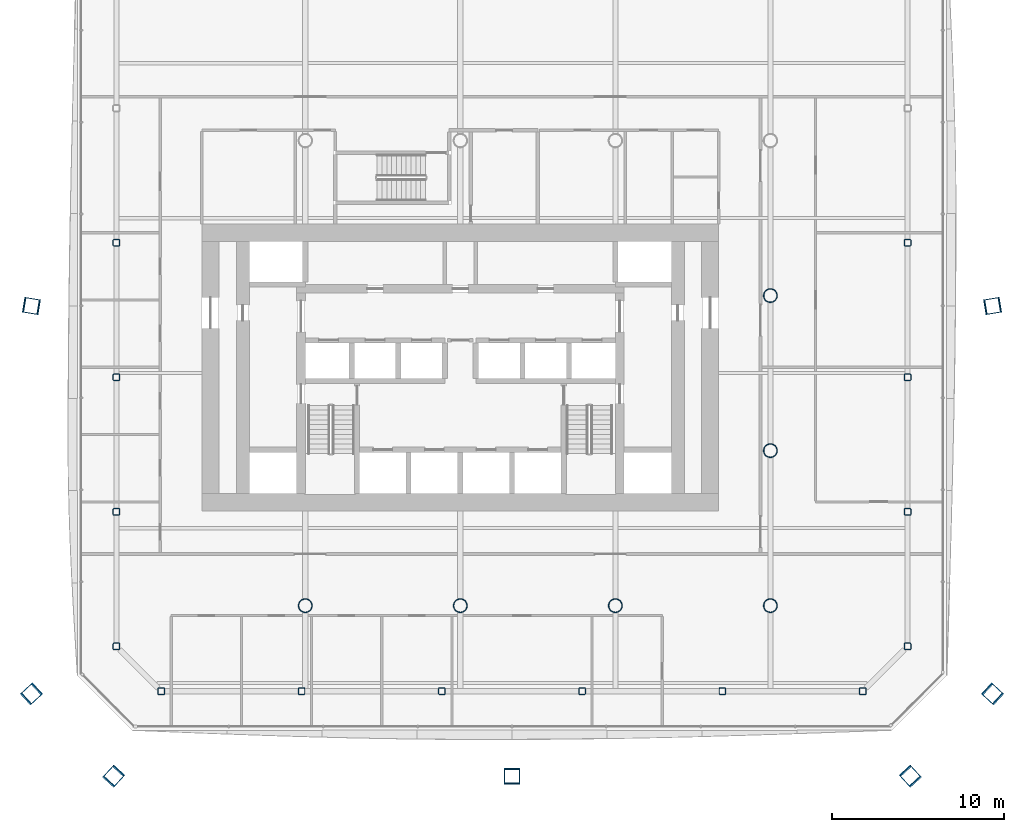
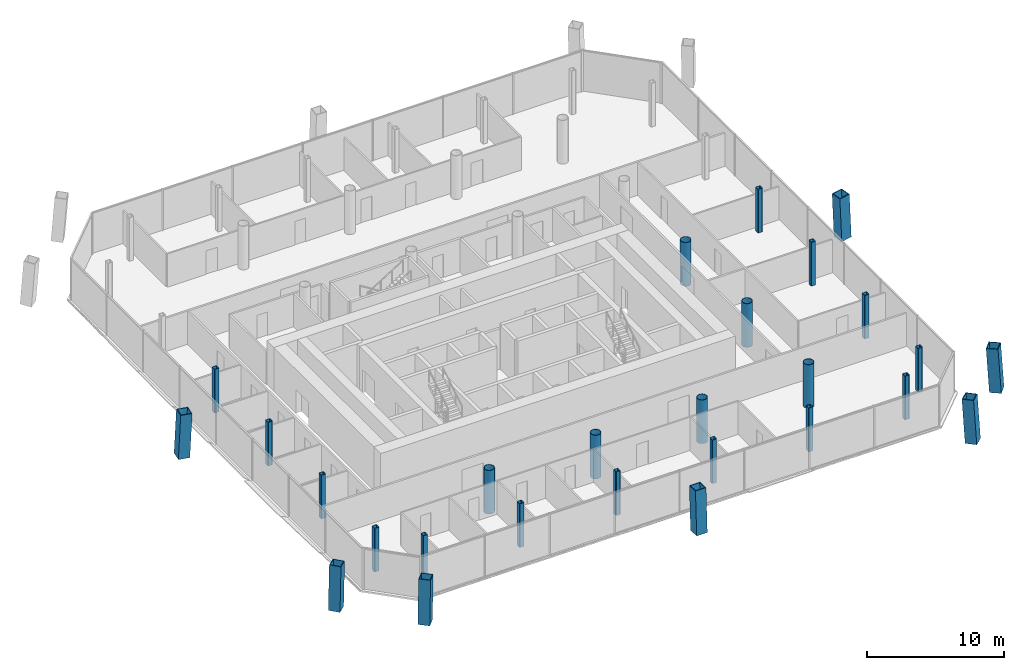
# One storey, part 1 of 19: 27 columns.
"""IFC4 building model written with IfcOpenShell, lengths in metres."""

from ifc_helpers import new_model, si_unit, direction, frame, origin, origin_2d, place, context, subcontext, project, spatial, hollow_rectangle, hollow_circle, extrude, material, material_profile, profile_set, type_object, element, save


model = new_model("IFC4")

# Units and contexts
model_context = context("Model", 3, precision=1e-05, world=origin(), true_north=direction((0.0, 1.0)))
body_context = subcontext(model_context, "Body", "Model", "MODEL_VIEW")
ifc_project = project(units=[si_unit("LENGTHUNIT", "METRE"), si_unit("AREAUNIT", "SQUARE_METRE"), si_unit("VOLUMEUNIT", "CUBIC_METRE"), si_unit("PLANEANGLEUNIT", "RADIAN"), si_unit("MASSUNIT", "GRAM", prefix="KILO")], contexts=[model_context])

# Site, building, storey
site_placement = place(None, origin())
site = spatial("IfcSite", under=ifc_project, at=site_placement, CompositionType="ELEMENT")
building_placement = place(site_placement, origin())
building = spatial("IfcBuilding", under=site, at=building_placement, Name="Tskaro Facet Tower", CompositionType="ELEMENT")
storey_placement = place(building_placement, frame((0.0, 0.0, 77.699951171875)))
storey = spatial("IfcBuildingStorey", under=building, at=storey_placement, Name="L18", CompositionType="ELEMENT", Elevation=77.699951171875)

# Columns
ifc_material_1 = material(Name="Steel S460M", Category="steel")
ifc_material_profile_1 = material_profile(ifc_material_1, hollow_rectangle(XDim=0.89990234375, YDim=0.89990234375, WallThickness=0.054931640625, at=origin_2d()), Name="BOX 900x900x55")
ifc_profile_set_1 = profile_set([ifc_material_profile_1], Name="Steel S460M")
column_type_1 = type_object("IfcColumnType", Name="BOX 900x900x55 mega column", PredefinedType="COLUMN", material=ifc_profile_set_1)
column_1_placement = place(storey_placement, frame((-20.14892578125, -27.927978515625, 0.0), z_axis=(0.042731350333, 0.046542187132, 0.99800193212), x_axis=(-0.736620357353, 0.676306475744, 0.0)))
element("IfcColumn", 1, at=column_1_placement, inside=storey, type_object=column_type_1, Name="BOX 900x900x55 MC01/2", PredefinedType="COLUMN", context=body_context, shape_type="SweptSolid", body=[
    extrude(hollow_rectangle(XDim=0.89990234375, YDim=0.89990234375, WallThickness=0.054931640625, at=origin_2d()), origin(), (0.0, 0.0, 1.0), 3.907958984375),
])
column_2_placement = place(storey_placement, frame((3.0, -27.927978515625, 0.0), z_axis=(0.0, 0.046584737692, 0.99891434178), x_axis=(-1.0, 0.0, 0.0)))
element("IfcColumn", 2, at=column_2_placement, inside=storey, type_object=column_type_1, Name="BOX 900x900x55 MC02/2", PredefinedType="COLUMN", context=body_context, shape_type="SweptSolid", body=[
    extrude(hollow_rectangle(XDim=0.89990234375, YDim=0.89990234375, WallThickness=0.054931640625, at=origin_2d()), origin(), (0.0, 0.0, 1.0), 3.904296875),
])
for number, where, z_axis, x_axis, name in (
    (3, (26.14892578125, -27.927978515625, 0.0), (-0.042731350333, 0.046542187132, 0.99800193212), (-0.736620357353, -0.676306475744, 0.0), "BOX 900x900x55 MC03/2"),
    (4, (30.927978515625, -23.14892578125, 0.0), (-0.046542187132, 0.042731350333, 0.99800193212), (-0.676306475744, -0.736620357353, 0.0), "BOX 900x900x55 MC04/2"),
):
    element("IfcColumn", number, at=place(storey_placement, frame(where, z_axis=z_axis, x_axis=x_axis)), inside=storey, type_object=column_type_1, Name=name, PredefinedType="COLUMN", context=body_context, shape_type="SweptSolid", body=[
        extrude(hollow_rectangle(XDim=0.89990234375, YDim=0.89990234375, WallThickness=0.054931640625, at=origin_2d()), origin(), (0.0, 0.0, 1.0), 3.907958984375),
    ])
for number, where, z_axis, x_axis, name in (
    (5, (30.927978515625, -0.597900390625, 0.0), (-0.046583359913, -0.007690943986, 0.998884798142), (0.162895476227, -0.986643331617, 0.0), "BOX 900x900x55 MC05/2"),
    (6, (-24.927978515625, -0.597900390625, 0.0), (0.046583359913, -0.007690943986, 0.998884798142), (0.162895476227, 0.986643331617, 0.0), "BOX 900x900x55 MC11/2"),
):
    element("IfcColumn", number, at=place(storey_placement, frame(where, z_axis=z_axis, x_axis=x_axis)), inside=storey, type_object=column_type_1, Name=name, PredefinedType="COLUMN", context=body_context, shape_type="SweptSolid", body=[
        extrude(hollow_rectangle(XDim=0.89990234375, YDim=0.89990234375, WallThickness=0.054931640625, at=origin_2d()), origin(), (0.0, 0.0, 1.0), 3.904541015625),
    ])
column_3_placement = place(storey_placement, frame((-24.927978515625, -23.14892578125, 0.0), z_axis=(0.046542187132, 0.042731350333, 0.99800193212), x_axis=(-0.676306475744, 0.736620357353, 0.0)))
element("IfcColumn", 7, at=column_3_placement, inside=storey, type_object=column_type_1, Name="BOX 900x900x55 MC12/2", PredefinedType="COLUMN", context=body_context, shape_type="SweptSolid", body=[
    extrude(hollow_rectangle(XDim=0.89990234375, YDim=0.89990234375, WallThickness=0.054931640625, at=origin_2d()), origin(), (0.0, 0.0, 1.0), 3.907958984375),
])
ifc_material_2 = material(Name="Steel S355J2H", Category="steel")
ifc_material_profile_2 = material_profile(ifc_material_2, hollow_circle(Radius=0.406494140625, WallThickness=0.035888671875, at=origin_2d()), Name="CHS 812.8x36")
ifc_profile_set_2 = profile_set([ifc_material_profile_2], Name="Steel S355J2H")
column_type_2 = type_object("IfcColumnType", Name="CHS 812.8x36 interior column", PredefinedType="COLUMN", material=ifc_profile_set_2)
for number, where, z_axis, x_axis, name in (
    (8, (-9.0, -18.0, 0.0), (0.0, 0.0, 1.0), (1.0, 0.0, 0.0), "CHS 812.8x36 C3B/2"),
    (9, (0.0, -18.0, 0.0), (0.0, 0.0, 1.0), (1.0, 0.0, 0.0), "CHS 812.8x36 C4B/2"),
    (10, (9.0, -18.0, 0.0), (0.0, 0.0, 1.0), (1.0, 0.0, 0.0), "CHS 812.8x36 C5B/2"),
    (11, (18.0, -18.0, 0.0), (0.0, 0.0, 1.0), (1.0, 0.0, 0.0), "CHS 812.8x36 C6B/2"),
    (12, (18.0, -9.0, 0.0), (0.0, 0.0, 1.0), (1.0, 0.0, 0.0), "CHS 812.8x36 C6C/2"),
    (13, (18.0, 0.0, 0.0), (0.0, 0.0, 1.0), (1.0, 0.0, 0.0), "CHS 812.8x36 C6D/2"),
):
    element("IfcColumn", number, at=place(storey_placement, frame(where, z_axis=z_axis, x_axis=x_axis)), inside=storey, type_object=column_type_2, Name=name, PredefinedType="COLUMN", context=body_context, shape_type="SweptSolid", body=[
        extrude(hollow_circle(Radius=0.406494140625, WallThickness=0.035888671875, at=origin_2d()), origin(), (0.0, 0.0, 1.0), 3.900146484375),
    ])
ifc_material_profile_3 = material_profile(ifc_material_2, hollow_rectangle(XDim=0.39990234375, YDim=0.39990234375, WallThickness=0.02490234375, InnerFilletRadius=0.03759765625, OuterFilletRadius=0.0625, at=origin_2d()), Name="SHS 400x400x25")
ifc_profile_set_3 = profile_set([ifc_material_profile_3], Name="Steel S355J2H")
column_type_3 = type_object("IfcColumnType", Name="SHS 400x400x25 ring column", PredefinedType="COLUMN", material=ifc_profile_set_3)
for number, where, z_axis, x_axis, name in (
    (14, (-17.364013671875, -22.965087890625, 0.0), (0.0, 0.0, 1.0), (1.0, 0.0, 0.0), "SHS 400x400x25 RS-1/2"),
    (15, (-9.218017578125, -22.965087890625, 0.0), (0.0, 0.0, 1.0), (1.0, 0.0, 0.0), "SHS 400x400x25 RS-2/2"),
    (16, (-1.072998046875, -22.965087890625, 0.0), (0.0, 0.0, 1.0), (1.0, 0.0, 0.0), "SHS 400x400x25 RS-3/2"),
    (17, (7.072998046875, -22.965087890625, 0.0), (0.0, 0.0, 1.0), (1.0, 0.0, 0.0), "SHS 400x400x25 RS-4/2"),
    (18, (15.218017578125, -22.965087890625, 0.0), (0.0, 0.0, 1.0), (1.0, 0.0, 0.0), "SHS 400x400x25 RS-5/2"),
    (19, (23.364013671875, -22.965087890625, 0.0), (0.0, 0.0, 1.0), (1.0, 0.0, 0.0), "SHS 400x400x25 RSE-1/2"),
    (20, (25.965087890625, -20.364013671875, 0.0), (0.0, 0.0, 1.0), (1.0, 0.0, 0.0), "SHS 400x400x25 RE-1/2"),
    (21, (25.965087890625, -12.552978515625, 0.0), (0.0, 0.0, 1.0), (1.0, 0.0, 0.0), "SHS 400x400x25 RE-2/2"),
    (22, (25.965087890625, -4.741943359375, 0.0), (0.0, 0.0, 1.0), (1.0, 0.0, 0.0), "SHS 400x400x25 RE-3/2"),
    (23, (25.965087890625, 3.068115234375, 0.0), (0.0, 0.0, 1.0), (1.0, 0.0, 0.0), "SHS 400x400x25 RE-4/2"),
    (24, (-19.965087890625, 3.068115234375, 0.0), (0.0, 0.0, 1.0), (1.0, 0.0, 0.0), "SHS 400x400x25 RW-3/2"),
    (25, (-19.965087890625, -4.741943359375, 0.0), (0.0, 0.0, 1.0), (1.0, 0.0, 0.0), "SHS 400x400x25 RW-4/2"),
    (26, (-19.965087890625, -12.552978515625, 0.0), (0.0, 0.0, 1.0), (1.0, 0.0, 0.0), "SHS 400x400x25 RW-5/2"),
    (27, (-19.965087890625, -20.364013671875, 0.0), (0.0, 0.0, 1.0), (1.0, 0.0, 0.0), "SHS 400x400x25 RSW-1/2"),
):
    element("IfcColumn", number, at=place(storey_placement, frame(where, z_axis=z_axis, x_axis=x_axis)), inside=storey, type_object=column_type_3, Name=name, PredefinedType="COLUMN", context=body_context, shape_type="SweptSolid", body=[
        extrude(hollow_rectangle(XDim=0.39990234375, YDim=0.39990234375, WallThickness=0.02490234375, InnerFilletRadius=0.03759765625, OuterFilletRadius=0.0625, at=origin_2d()), origin(), (0.0, 0.0, 1.0), 3.900146484375),
    ])

save(model, "model.ifc")
